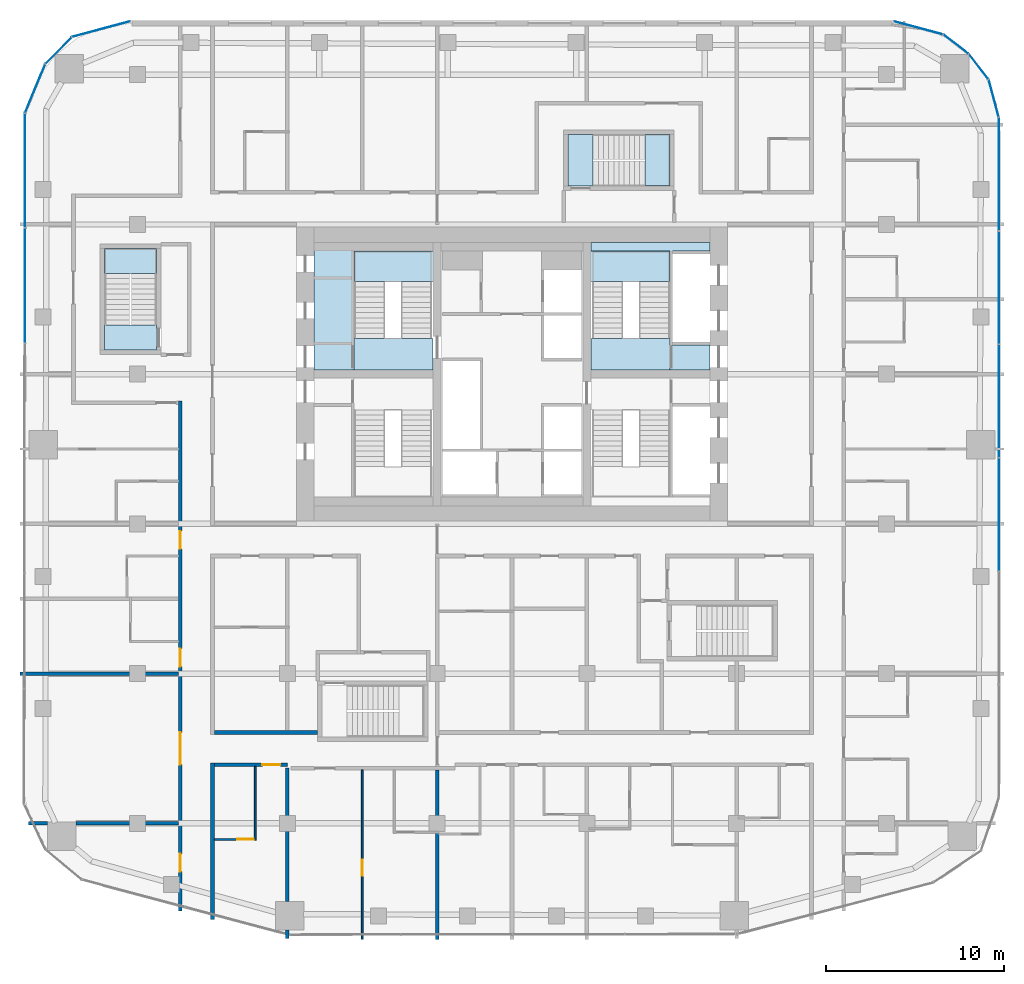
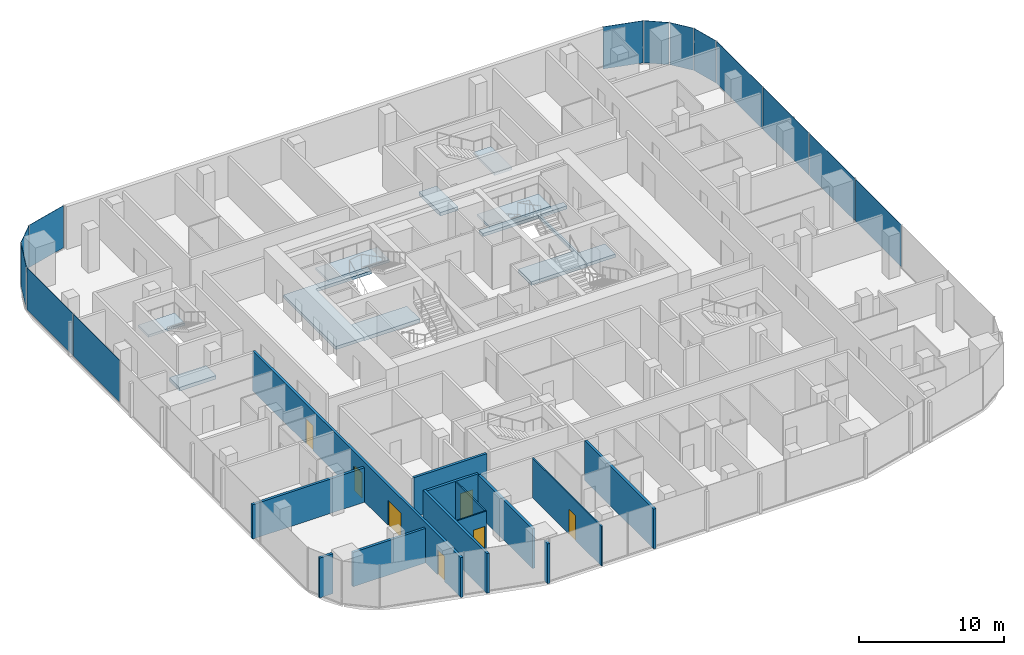
# One storey, part 13 of 23: 13 plates, 13 walls, 10 slabs, 7 doors, 7 openings, 13 elements without a shape of their own.
"""IFC4 building model written with IfcOpenShell, lengths in metres."""

from ifc_helpers import new_model, si_unit, direction, frame, frame_2d, origin, origin_2d, place, context, subcontext, project, spatial, polyline, rectangle, outline, extrude, material, layer, layer_set, type_object, element, fill, aggregate, save


model = new_model("IFC4")

# Units and contexts
model_context = context("Model", 3, precision=1e-05, world=origin(), true_north=direction((0.0, 1.0)))
body_context = subcontext(model_context, "Body", "Model", "MODEL_VIEW")
ifc_project = project(units=[si_unit("LENGTHUNIT", "METRE"), si_unit("AREAUNIT", "SQUARE_METRE"), si_unit("VOLUMEUNIT", "CUBIC_METRE"), si_unit("PLANEANGLEUNIT", "RADIAN"), si_unit("MASSUNIT", "GRAM", prefix="KILO")], contexts=[model_context])

# Site, building, storey
site_placement = place(None, origin())
site = spatial("IfcSite", under=ifc_project, at=site_placement, CompositionType="ELEMENT")
building_placement = place(site_placement, origin())
building = spatial("IfcBuilding", under=site, at=building_placement, Name="Marenta Gate Hotel Tower", CompositionType="ELEMENT")
storey_placement = place(building_placement, frame((0.0, 0.0, 162.5)))
storey = spatial("IfcBuildingStorey", under=building, at=storey_placement, Name="L38", CompositionType="ELEMENT", Elevation=162.5)

# Slabs
ifc_material_1 = material(Name="Concrete C40", Category="concrete")
ifc_layer_1 = layer(ifc_material_1, 0.260009765625)
ifc_layer_set_1 = layer_set([ifc_layer_1], Name="Concrete C40")
slab_type_1 = type_object("IfcSlabType", Name="Core floor slab 260", PredefinedType="FLOOR", material=ifc_layer_set_1)
slab_1_placement = place(storey_placement, frame((0.0, 0.0, -0.260009765625)))
element("IfcSlab", 1, at=slab_1_placement, inside=storey, type_object=slab_type_1, Name="L38-CF-3", PredefinedType="FLOOR", context=body_context, shape_type="SweptSolid", body=[
    extrude(outline(polyline([(8.85009765625, 15.300048828125), (4.425048828125, 15.300048828125), (4.425048828125, 15.800048828125), (11.10009765625, 15.800048828125), (11.10009765625, 15.300048828125), (9.0, 15.300048828125), (9.0, 15.14990234375), (9.0, 12.75), (9.0, 12.60009765625), (9.0, 10.199951171875), (9.0, 10.050048828125), (11.10009765625, 10.050048828125), (11.10009765625, 8.625), (8.85009765625, 8.625), (8.85009765625, 8.699951171875), (8.85009765625, 10.39990234375), (8.85009765625, 15.300048828125)])), origin(), (0.0, 0.0, 1.0), 0.260009765625),
])
slab_2_placement = place(storey_placement, frame((0.0, 0.0, -0.260009765625)))
element("IfcSlab", 2, at=slab_2_placement, inside=storey, type_object=slab_type_1, Name="L38-CF-6", PredefinedType="FLOOR", context=body_context, shape_type="SweptSolid", body=[
    extrude(outline(polyline([(-4.425048828125, 15.300048828125), (-8.85009765625, 15.300048828125), (-8.85009765625, 10.39990234375), (-8.85009765625, 8.699951171875), (-8.85009765625, 8.625), (-11.10009765625, 8.625), (-11.10009765625, 15.800048828125), (-4.425048828125, 15.800048828125), (-4.425048828125, 15.300048828125)])), origin(), (0.0, 0.0, 1.0), 0.260009765625),
])

# Stair, slab
ifc_material_2 = material(Name="Concrete C40", Category="concrete")
stair_type_1 = type_object("IfcStairType", Name="Core exit stair 1700 wide", PredefinedType="HALF_TURN_STAIR", material=ifc_material_2)
stair_1_placement = place(storey_placement, origin())
stair_1 = element("IfcStair", 3, at=stair_1_placement, inside=storey, type_object=stair_type_1, Name="Exit stair 2", PredefinedType="HALF_TURN_STAIR")
ifc_material_3 = material(Name="Concrete C40", Category="concrete")
ifc_layer_2 = layer(ifc_material_3, 0.199951171875)
ifc_layer_set_2 = layer_set([ifc_layer_2], Name="Concrete C40")
slab_type_2 = type_object("IfcSlabType", Name="Core stair landing 200", PredefinedType="LANDING", material=ifc_layer_set_2)
slab_3_placement = place(storey_placement, frame((0.0, 0.0, 1.60009765625)))
slab_3 = element("IfcSlab", 4, at=slab_3_placement, type_object=slab_type_2, Name="SL-200 ST2 landing 1", PredefinedType="LANDING", context=body_context, shape_type="SweptSolid", body=[
    extrude(outline(polyline([(-8.85009765625, 13.590087890625), (-3.97509765625, 13.590087890625), (-3.97509765625, 15.300048828125), (-8.85009765625, 15.300048828125), (-8.85009765625, 13.590087890625)])), origin(), (0.0, 0.0, 1.0), 0.199951171875),
])
aggregate(stair_1, [slab_3])

stair_2_placement = place(storey_placement, origin())
stair_2 = element("IfcStair", 5, at=stair_2_placement, inside=storey, type_object=stair_type_1, Name="Exit stair 4", PredefinedType="HALF_TURN_STAIR")
slab_4_placement = place(storey_placement, frame((0.0, 0.0, 1.60009765625)))
slab_4 = element("IfcSlab", 6, at=slab_4_placement, type_object=slab_type_2, Name="SL-200 ST4 landing 1", PredefinedType="LANDING", context=body_context, shape_type="SweptSolid", body=[
    extrude(outline(polyline([(3.97509765625, 13.590087890625), (8.85009765625, 13.590087890625), (8.85009765625, 15.300048828125), (3.97509765625, 15.300048828125), (3.97509765625, 13.590087890625)])), origin(), (0.0, 0.0, 1.0), 0.199951171875),
])
aggregate(stair_2, [slab_4])

# Curtain wall, plate
ifc_material_4 = material(Name="Tinted insulated glass in bronze anodised frame", Category="glass")
ifc_layer_3 = layer(ifc_material_4, 0.1201171875)
ifc_layer_set_3 = layer_set([ifc_layer_3], Name="Tinted insulated glass in bronze anodised frame")
curtain_wall_type = type_object("IfcCurtainWallType", Name="Tower unitised curtain wall CW1", PredefinedType="NOTDEFINED", material=ifc_layer_set_3)
curtain_wall_1_placement = place(storey_placement, origin())
curtain_wall_1 = element("IfcCurtainWall", 7, at=curtain_wall_1_placement, inside=storey, type_object=curtain_wall_type, Name="CW1 run G00", PredefinedType="NOTDEFINED")
ifc_material_5 = material(Name="Tinted insulated glass", Category="glass")
ifc_layer_4 = layer(ifc_material_5, 0.028076171875)
ifc_layer_set_4 = layer_set([ifc_layer_4], Name="Tinted insulated glass")
plate_type = type_object("IfcPlateType", Name="Glass panel CW1 28 mm tinted insulated unit", PredefinedType="CURTAIN_PANEL", material=ifc_layer_set_4)
plate_1_placement = place(storey_placement, frame((-23.04052734375, 27.759765625, 0.06005859375), z_axis=(0.0, 0.0, 1.0), x_axis=(-0.96593059835, -0.258801234873, 0.0)))
plate_1 = element("IfcPlate", 8, at=plate_1_placement, type_object=plate_type, Name="CW1 panel 1.1", PredefinedType="CURTAIN_PANEL", context=body_context, shape_type="SweptSolid", body=[
    extrude(rectangle(XDim=3.366943359375, YDim=0.028076171875, at=origin_2d()), origin(), (0.0, 0.0, 1.0), 3.5400390625),
])
aggregate(curtain_wall_1, [plate_1])

curtain_wall_2_placement = place(storey_placement, origin())
curtain_wall_2 = element("IfcCurtainWall", 9, at=curtain_wall_2_placement, inside=storey, type_object=curtain_wall_type, Name="CW1 run G01", PredefinedType="NOTDEFINED")
plate_2_placement = place(storey_placement, frame((-25.440673828125, 26.550048828125, 0.06005859375), z_axis=(0.0, 0.0, 1.0), x_axis=(-0.707106781187, -0.707106781187, 0.0)))
plate_2 = element("IfcPlate", 10, at=plate_2_placement, type_object=plate_type, Name="CW1 panel 1.1", PredefinedType="CURTAIN_PANEL", context=body_context, shape_type="SweptSolid", body=[
    extrude(rectangle(XDim=2.069091796875, YDim=0.028076171875, at=origin_2d()), origin(), (0.0, 0.0, 1.0), 3.5400390625),
])
aggregate(curtain_wall_2, [plate_2])

curtain_wall_3_placement = place(storey_placement, origin())
curtain_wall_3 = element("IfcCurtainWall", 11, at=curtain_wall_3_placement, inside=storey, type_object=curtain_wall_type, Name="CW1 run G02", PredefinedType="NOTDEFINED")
plate_3_placement = place(storey_placement, frame((-26.75390625, 24.41455078125, 0.06005859375), z_axis=(0.0, 0.0, 1.0), x_axis=(-0.382671975111, -0.923884278178, 0.0)))
plate_3 = element("IfcPlate", 12, at=plate_3_placement, type_object=plate_type, Name="CW1 panel 1.1", PredefinedType="CURTAIN_PANEL", context=body_context, shape_type="SweptSolid", body=[
    extrude(rectangle(XDim=2.919189453125, YDim=0.028076171875, at=origin_2d()), origin(), (0.0, 0.0, 1.0), 3.5400390625),
])
aggregate(curtain_wall_3, [plate_3])

# Curtain wall, plates
curtain_wall_4_placement = place(storey_placement, origin())
curtain_wall_4 = element("IfcCurtainWall", 13, at=curtain_wall_4_placement, inside=storey, type_object=curtain_wall_type, Name="CW1 run G03", PredefinedType="NOTDEFINED")
plate_4_placement = place(storey_placement, frame((-27.3173828125, 19.8212890625, 0.06005859375), z_axis=(0.0, 0.0, 1.0), x_axis=(-0.001566045546, -0.99999877375, 0.0)))
plate_4 = element("IfcPlate", 14, at=plate_4_placement, type_object=plate_type, Name="CW1 panel 1.1", PredefinedType="CURTAIN_PANEL", context=body_context, shape_type="SweptSolid", body=[
    extrude(rectangle(XDim=6.3701171875, YDim=0.028076171875, at=origin_2d()), origin(), (0.0, 0.0, 1.0), 3.5400390625),
])
plate_5_placement = place(storey_placement, frame((-27.327392578125, 13.376220703125, 0.06005859375), z_axis=(0.0, 0.0, 1.0), x_axis=(-0.001566045546, -0.99999877375, 0.0)))
plate_5 = element("IfcPlate", 15, at=plate_5_placement, type_object=plate_type, Name="CW1 panel 2.1", PredefinedType="CURTAIN_PANEL", context=body_context, shape_type="SweptSolid", body=[
    extrude(rectangle(XDim=6.39990234375, YDim=0.028076171875, at=origin_2d()), origin(), (0.0, 0.0, 1.0), 3.5400390625),
])
aggregate(curtain_wall_4, [plate_4, plate_5])

curtain_wall_5_placement = place(storey_placement, origin())
curtain_wall_5 = element("IfcCurtainWall", 16, at=curtain_wall_5_placement, inside=storey, type_object=curtain_wall_type, Name="CW1 run G11", PredefinedType="NOTDEFINED")
plate_6_placement = place(storey_placement, frame((27.31396484375, 0.531982421875, 0.06005859375), z_axis=(0.0, 0.0, 1.0), x_axis=(0.0, 1.0, 0.0)))
plate_6 = element("IfcPlate", 17, at=plate_6_placement, type_object=plate_type, Name="CW1 panel 3.1", PredefinedType="CURTAIN_PANEL", context=body_context, shape_type="SweptSolid", body=[
    extrude(rectangle(XDim=6.300048828125, YDim=0.028076171875, at=origin_2d()), origin(), (0.0, 0.0, 1.0), 3.5400390625),
])
plate_7_placement = place(storey_placement, frame((27.31396484375, 6.891845703125, 0.06005859375), z_axis=(0.0, 0.0, 1.0), x_axis=(0.0, 1.0, 0.0)))
plate_7 = element("IfcPlate", 18, at=plate_7_placement, type_object=plate_type, Name="CW1 panel 4.1", PredefinedType="CURTAIN_PANEL", context=body_context, shape_type="SweptSolid", body=[
    extrude(rectangle(XDim=6.300048828125, YDim=0.028076171875, at=origin_2d()), origin(), (0.0, 0.0, 1.0), 3.5400390625),
])
plate_8_placement = place(storey_placement, frame((27.31396484375, 13.251953125, 0.06005859375), z_axis=(0.0, 0.0, 1.0), x_axis=(0.0, 1.0, 0.0)))
plate_8 = element("IfcPlate", 19, at=plate_8_placement, type_object=plate_type, Name="CW1 panel 5.1", PredefinedType="CURTAIN_PANEL", context=body_context, shape_type="SweptSolid", body=[
    extrude(rectangle(XDim=6.300048828125, YDim=0.028076171875, at=origin_2d()), origin(), (0.0, 0.0, 1.0), 3.5400390625),
])
plate_9_placement = place(storey_placement, frame((27.31396484375, 19.626953125, 0.06005859375), z_axis=(0.0, 0.0, 1.0), x_axis=(0.0, 1.0, 0.0)))
plate_9 = element("IfcPlate", 20, at=plate_9_placement, type_object=plate_type, Name="CW1 panel 6.1", PredefinedType="CURTAIN_PANEL", context=body_context, shape_type="SweptSolid", body=[
    extrude(rectangle(XDim=6.330078125, YDim=0.028076171875, at=origin_2d()), origin(), (0.0, 0.0, 1.0), 3.5400390625),
])
aggregate(curtain_wall_5, [plate_6, plate_7, plate_8, plate_9])

# Curtain wall, plate
curtain_wall_6_placement = place(storey_placement, origin())
curtain_wall_6 = element("IfcCurtainWall", 21, at=curtain_wall_6_placement, inside=storey, type_object=curtain_wall_type, Name="CW1 run G12", PredefinedType="NOTDEFINED")
plate_10_placement = place(storey_placement, frame((27.022216796875, 23.880615234375, 0.06005859375), z_axis=(0.0, 0.0, 1.0), x_axis=(-0.258822651658, 0.965924859908, 0.0)))
plate_10 = element("IfcPlate", 22, at=plate_10_placement, type_object=plate_type, Name="CW1 panel 1.1", PredefinedType="CURTAIN_PANEL", context=body_context, shape_type="SweptSolid", body=[
    extrude(rectangle(XDim=2.13427734375, YDim=0.028076171875, at=origin_2d()), origin(), (0.0, 0.0, 1.0), 3.5400390625),
])
aggregate(curtain_wall_6, [plate_10])

curtain_wall_7_placement = place(storey_placement, origin())
curtain_wall_7 = element("IfcCurtainWall", 23, at=curtain_wall_7_placement, inside=storey, type_object=curtain_wall_type, Name="CW1 run G13", PredefinedType="NOTDEFINED")
plate_11_placement = place(storey_placement, frame((26.177490234375, 25.652099609375, 0.06005859375), z_axis=(0.0, 0.0, 1.0), x_axis=(-0.608796116694, 0.793326722289, 0.0)))
plate_11 = element("IfcPlate", 24, at=plate_11_placement, type_object=plate_type, Name="CW1 panel 1.1", PredefinedType="CURTAIN_PANEL", context=body_context, shape_type="SweptSolid", body=[
    extrude(rectangle(XDim=1.747802734375, YDim=0.028076171875, at=origin_2d()), origin(), (0.0, 0.0, 1.0), 3.5400390625),
])
aggregate(curtain_wall_7, [plate_11])

curtain_wall_8_placement = place(storey_placement, origin())
curtain_wall_8 = element("IfcCurtainWall", 25, at=curtain_wall_8_placement, inside=storey, type_object=curtain_wall_type, Name="CW1 run G14", PredefinedType="NOTDEFINED")
plate_12_placement = place(storey_placement, frame((24.904541015625, 26.9140625, 0.06005859375), z_axis=(0.0, 0.0, 1.0), x_axis=(-0.793326722289, 0.608796116694, 0.0)))
plate_12 = element("IfcPlate", 26, at=plate_12_placement, type_object=plate_type, Name="CW1 panel 1.1", PredefinedType="CURTAIN_PANEL", context=body_context, shape_type="SweptSolid", body=[
    extrude(rectangle(XDim=1.747802734375, YDim=0.028076171875, at=origin_2d()), origin(), (0.0, 0.0, 1.0), 3.5400390625),
])
aggregate(curtain_wall_8, [plate_12])

curtain_wall_9_placement = place(storey_placement, origin())
curtain_wall_9 = element("IfcCurtainWall", 27, at=curtain_wall_9_placement, inside=storey, type_object=curtain_wall_type, Name="CW1 run G15", PredefinedType="NOTDEFINED")
plate_13_placement = place(storey_placement, frame((22.783935546875, 27.82861328125, 0.06005859375), z_axis=(0.0, 0.0, 1.0), x_axis=(-0.965929324305, 0.258805989975, 0.0)))
plate_13 = element("IfcPlate", 28, at=plate_13_placement, type_object=plate_type, Name="CW1 panel 1.1", PredefinedType="CURTAIN_PANEL", context=body_context, shape_type="SweptSolid", body=[
    extrude(rectangle(XDim=2.83544921875, YDim=0.028076171875, at=origin_2d()), origin(), (0.0, 0.0, 1.0), 3.5400390625),
])
aggregate(curtain_wall_9, [plate_13])

# Stair, slab
ifc_material_6 = material(Name="Concrete C40", Category="concrete")
stair_type_2 = type_object("IfcStairType", Name="Remote exit stair 1400 wide", PredefinedType="HALF_TURN_STAIR", material=ifc_material_6)
stair_3_placement = place(storey_placement, origin())
stair_3 = element("IfcStair", 29, at=stair_3_placement, inside=storey, type_object=stair_type_2, Name="Exit stair RS-Z1-3", PredefinedType="HALF_TURN_STAIR")
ifc_material_7 = material(Name="Concrete C40", Category="concrete")
ifc_layer_5 = layer(ifc_material_7, 0.199951171875)
ifc_layer_set_5 = layer_set([ifc_layer_5], Name="Concrete C40")
slab_type_3 = type_object("IfcSlabType", Name="Remote stair landing 200", PredefinedType="LANDING", material=ifc_layer_set_5)
slab_5_placement = place(storey_placement, frame((0.0, 0.0, 1.60009765625)))
slab_5 = element("IfcSlab", 30, at=slab_5_placement, type_object=slab_type_3, Name="RL-200 RS-Z1-3 landing 1", PredefinedType="LANDING", context=body_context, shape_type="SweptSolid", body=[
    extrude(outline(polyline([(-22.85009765625, 14.050048828125), (-19.949951171875, 14.050048828125), (-19.949951171875, 15.449951171875), (-22.85009765625, 15.449951171875), (-22.85009765625, 14.050048828125)])), origin(), (0.0, 0.0, 1.0), 0.199951171875),
])
aggregate(stair_3, [slab_5])

stair_4_placement = place(storey_placement, origin())
stair_4 = element("IfcStair", 31, at=stair_4_placement, inside=storey, type_object=stair_type_2, Name="Exit stair RS-Z2-4", PredefinedType="HALF_TURN_STAIR")
slab_6_placement = place(storey_placement, frame((0.0, 0.0, 1.60009765625)))
slab_6 = element("IfcSlab", 32, at=slab_6_placement, type_object=slab_type_3, Name="RL-200 RS-Z2-4 landing 1", PredefinedType="LANDING", context=body_context, shape_type="SweptSolid", body=[
    extrude(outline(polyline([(7.449951171875, 18.949951171875), (8.85009765625, 18.949951171875), (8.85009765625, 21.85009765625), (7.449951171875, 21.85009765625), (7.449951171875, 18.949951171875)])), origin(), (0.0, 0.0, 1.0), 0.199951171875),
])
aggregate(stair_4, [slab_6])

# Slabs
ifc_material_8 = material(Name="Concrete C40", Category="concrete")
ifc_layer_6 = layer(ifc_material_8, 0.300048828125)
ifc_layer_set_6 = layer_set([ifc_layer_6], Name="Concrete C40")
slab_type_4 = type_object("IfcSlabType", Name="Stair floor landing slab 300", PredefinedType="FLOOR", material=ifc_layer_set_6)
slab_7_placement = place(storey_placement, frame((0.0, 0.0, -0.300048828125)))
element("IfcSlab", 33, at=slab_7_placement, inside=storey, type_object=slab_type_4, Name="L38-CL-ST2-1", PredefinedType="FLOOR", context=body_context, shape_type="SweptSolid", body=[
    extrude(outline(polyline([(-4.425048828125, 8.625), (-8.85009765625, 8.625), (-8.85009765625, 8.699951171875), (-8.85009765625, 10.39990234375), (-4.425048828125, 10.39990234375), (-4.425048828125, 8.625)])), origin(), (0.0, 0.0, 1.0), 0.300048828125),
])
slab_8_placement = place(storey_placement, frame((0.0, 0.0, -0.300048828125)))
element("IfcSlab", 34, at=slab_8_placement, inside=storey, type_object=slab_type_4, Name="L38-CL-ST4-1", PredefinedType="FLOOR", context=body_context, shape_type="SweptSolid", body=[
    extrude(outline(polyline([(4.425048828125, 8.625), (4.425048828125, 10.39990234375), (8.85009765625, 10.39990234375), (8.85009765625, 8.699951171875), (8.85009765625, 8.625), (4.425048828125, 8.625)])), origin(), (0.0, 0.0, 1.0), 0.300048828125),
])
slab_9_placement = place(storey_placement, frame((0.0, 0.0, -0.300048828125)))
element("IfcSlab", 35, at=slab_9_placement, inside=storey, type_object=slab_type_4, Name="L38-RS-Z1-3-CL", PredefinedType="FLOOR", context=body_context, shape_type="SweptSolid", body=[
    extrude(outline(polyline([(-19.949951171875, 9.75), (-19.949951171875, 11.14990234375), (-22.85009765625, 11.14990234375), (-22.85009765625, 9.75), (-19.949951171875, 9.75)])), origin(), (0.0, 0.0, 1.0), 0.300048828125),
])
slab_10_placement = place(storey_placement, frame((0.0, 0.0, -0.300048828125)))
element("IfcSlab", 36, at=slab_10_placement, inside=storey, type_object=slab_type_4, Name="L38-RS-Z2-4-CL", PredefinedType="FLOOR", context=body_context, shape_type="SweptSolid", body=[
    extrude(outline(polyline([(4.550048828125, 18.949951171875), (4.550048828125, 21.85009765625), (3.14990234375, 21.85009765625), (3.14990234375, 18.949951171875), (4.550048828125, 18.949951171875)])), origin(), (0.0, 0.0, 1.0), 0.300048828125),
])

# Wall
ifc_material_9 = material(Name="Concrete blockwork", Category="masonry")
ifc_layer_7 = layer(ifc_material_9, 0.199951171875)
ifc_layer_set_7 = layer_set([ifc_layer_7], Name="Concrete blockwork")
wall_type_1 = type_object("IfcWallType", Name="Compartment wall 200 REI 180", PredefinedType="PARTITIONING", material=ifc_layer_set_7)
wall_1_placement = place(storey_placement, frame((-4.199951171875, -23.300048828125, 0.0), z_axis=(0.0, 0.0, 1.0), x_axis=(0.0, 1.0, 0.0)))
element("IfcWall", 37, at=wall_1_placement, inside=storey, type_object=wall_type_1, Name="L38-PTN-W072", PredefinedType="PARTITIONING", context=body_context, shape_type="SweptSolid", body=[
    extrude(rectangle(XDim=9.5, YDim=0.199951171875, at=frame_2d((4.75, 0.0))), origin(), (0.0, 0.0, 1.0), 3.340087890625),
])

# Wall, opening, door
ifc_material_10 = material(Name="Gypsum board on steel stud", Category="steel")
ifc_layer_8 = layer(ifc_material_10, 0.199951171875)
ifc_layer_set_8 = layer_set([ifc_layer_8], Name="Gypsum board on steel stud")
wall_type_2 = type_object("IfcWallType", Name="Room corridor wall 200 EI 60", PredefinedType="PARTITIONING", material=ifc_layer_set_8)
wall_2_placement = place(storey_placement, frame((-16.699951171875, -13.5, 0.0), z_axis=(0.0, 0.0, 1.0), x_axis=(1.0, 0.0, 0.0)))
wall_2 = element("IfcWall", 38, at=wall_2_placement, inside=storey, type_object=wall_type_2, Name="L38-PTN-W026", PredefinedType="PARTITIONING", context=body_context, shape_type="SweptSolid", body=[
    extrude(rectangle(XDim=4.099853515625, YDim=0.199951171875, at=frame_2d((2.0498046875, 0.0))), origin(), (0.0, 0.0, 1.0), 3.340087890625),
])
opening_1_placement = place(wall_2_placement, frame((2.699951171875, 0.0, 0.0)))
opening_1 = element("IfcOpeningElement", 39, at=opening_1_placement, cuts=wall_2, Name="Opening G14-30", PredefinedType="OPENING", context=body_context, shape_type="SweptSolid", body=[
    extrude(rectangle(XDim=1.0, YDim=2.10009765625, at=frame_2d((0.5, 1.050048828125))), frame((0.0, 0.10009765625, 0.0), z_axis=(0.0, -1.0, 0.0), x_axis=(1.0, 0.0, 0.0)), (0.0, 0.0, 1.0), 0.199951171875),
])
ifc_material_11 = material(Name="Timber door leaf", Category="wood")
door_type_1 = type_object("IfcDoorType", Name="Guest room door 1000x2100 EI 30", OperationType="NOTDEFINED", PredefinedType="DOOR", material=ifc_material_11)
door_1_placement = place(opening_1_placement, origin())
door_1 = element("IfcDoor", 40, at=door_1_placement, inside=storey, type_object=door_type_1, Name="L38-PD-D030", OperationType="SINGLE_SWING_RIGHT", OverallHeight=2.10009765625, OverallWidth=1.0, PredefinedType="DOOR", context=body_context, shape_type="SweptSolid", body=[
    extrude(rectangle(XDim=1.0, YDim=2.10009765625, at=frame_2d((0.5, 1.050048828125))), frame((0.0, 0.02490234375, 0.0), z_axis=(0.0, -1.0, 0.0), x_axis=(1.0, 0.0, 0.0)), (0.0, 0.0, 1.0), 0.050048828125),
])
fill(opening_1, door_1)

# Walls
wall_3_placement = place(storey_placement, frame((-16.699951171875, -11.699951171875, 0.0), z_axis=(0.0, 0.0, 1.0), x_axis=(1.0, 0.0, 0.0)))
element("IfcWall", 41, at=wall_3_placement, inside=storey, type_object=wall_type_2, Name="L38-PTN-W033", PredefinedType="PARTITIONING", context=body_context, shape_type="SweptSolid", body=[
    extrude(rectangle(XDim=5.800048828125, YDim=0.199951171875, at=frame_2d((2.89990234375, 0.0))), origin(), (0.0, 0.0, 1.0), 3.340087890625),
])
wall_4_placement = place(storey_placement, frame((-16.800048828125, -22.18603515625, 0.0), z_axis=(0.0, 0.0, 1.0), x_axis=(0.0, 1.0, 0.0)))
element("IfcWall", 42, at=wall_4_placement, inside=storey, type_object=wall_type_2, Name="L38-PTN-W096", PredefinedType="PARTITIONING", context=body_context, shape_type="SweptSolid", body=[
    extrude(rectangle(XDim=8.7861328125, YDim=0.199951171875, at=frame_2d((4.39306640625, 0.0))), origin(), (0.0, 0.0, 1.0), 3.340087890625),
])

# Wall, openings, doors
wall_5_placement = place(storey_placement, frame((-18.60009765625, -21.7080078125, 0.0), z_axis=(0.0, 0.0, 1.0), x_axis=(0.0, 1.0, 0.0)))
wall_5 = element("IfcWall", 43, at=wall_5_placement, inside=storey, type_object=wall_type_2, Name="L38-PTN-W103", PredefinedType="PARTITIONING", context=body_context, shape_type="SweptSolid", body=[
    extrude(rectangle(XDim=28.60791015625, YDim=0.199951171875, at=frame_2d((14.303955078125, 0.0))), origin(), (0.0, 0.0, 1.0), 3.340087890625),
])
opening_2_placement = place(wall_5_placement, frame((2.2041015625, 0.0, 0.0)))
opening_2 = element("IfcOpeningElement", 44, at=opening_2_placement, cuts=wall_5, Name="Opening G14-44", PredefinedType="OPENING", context=body_context, shape_type="SweptSolid", body=[
    extrude(rectangle(XDim=1.0, YDim=2.10009765625, at=frame_2d((0.5, 1.050048828125))), frame((0.0, 0.10009765625, 0.0), z_axis=(0.0, -1.0, 0.0), x_axis=(1.0, 0.0, 0.0)), (0.0, 0.0, 1.0), 0.199951171875),
])
opening_3_placement = place(wall_5_placement, frame((8.2080078125, 0.0, 0.0)))
opening_3 = element("IfcOpeningElement", 45, at=opening_3_placement, cuts=wall_5, Name="Opening G14-45", PredefinedType="OPENING", context=body_context, shape_type="SweptSolid", body=[
    extrude(rectangle(XDim=1.800048828125, YDim=2.10009765625, at=frame_2d((0.89990234375, 1.050048828125))), frame((0.0, 0.10009765625, 0.0), z_axis=(0.0, -1.0, 0.0), x_axis=(1.0, 0.0, 0.0)), (0.0, 0.0, 1.0), 0.199951171875),
])
opening_4_placement = place(wall_5_placement, frame((13.7080078125, 0.0, 0.0)))
opening_4 = element("IfcOpeningElement", 46, at=opening_4_placement, cuts=wall_5, Name="Opening G14-46", PredefinedType="OPENING", context=body_context, shape_type="SweptSolid", body=[
    extrude(rectangle(XDim=1.0, YDim=2.10009765625, at=frame_2d((0.5, 1.050048828125))), frame((0.0, 0.10009765625, 0.0), z_axis=(0.0, -1.0, 0.0), x_axis=(1.0, 0.0, 0.0)), (0.0, 0.0, 1.0), 0.199951171875),
])
opening_5_placement = place(wall_5_placement, frame((20.30810546875, 0.0, 0.0)))
opening_5 = element("IfcOpeningElement", 47, at=opening_5_placement, cuts=wall_5, Name="Opening G14-48", PredefinedType="OPENING", context=body_context, shape_type="SweptSolid", body=[
    extrude(rectangle(XDim=1.0, YDim=2.10009765625, at=frame_2d((0.5, 1.050048828125))), frame((0.0, 0.10009765625, 0.0), z_axis=(0.0, -1.0, 0.0), x_axis=(1.0, 0.0, 0.0)), (0.0, 0.0, 1.0), 0.199951171875),
])
door_2_placement = place(opening_4_placement, origin())
door_2 = element("IfcDoor", 48, at=door_2_placement, inside=storey, type_object=door_type_1, Name="L38-PD-D046", OperationType="SINGLE_SWING_LEFT", OverallHeight=2.10009765625, OverallWidth=1.0, PredefinedType="DOOR", context=body_context, shape_type="SweptSolid", body=[
    extrude(rectangle(XDim=1.0, YDim=2.10009765625, at=frame_2d((0.5, 1.050048828125))), frame((0.0, 0.02490234375, 0.0), z_axis=(0.0, -1.0, 0.0), x_axis=(1.0, 0.0, 0.0)), (0.0, 0.0, 1.0), 0.050048828125),
])
fill(opening_4, door_2)
door_3_placement = place(opening_5_placement, origin())
door_3 = element("IfcDoor", 49, at=door_3_placement, inside=storey, type_object=door_type_1, Name="L38-PD-D048", OperationType="SINGLE_SWING_LEFT", OverallHeight=2.10009765625, OverallWidth=1.0, PredefinedType="DOOR", context=body_context, shape_type="SweptSolid", body=[
    extrude(rectangle(XDim=1.0, YDim=2.10009765625, at=frame_2d((0.5, 1.050048828125))), frame((0.0, 0.02490234375, 0.0), z_axis=(0.0, -1.0, 0.0), x_axis=(1.0, 0.0, 0.0)), (0.0, 0.0, 1.0), 0.050048828125),
])
fill(opening_5, door_3)
ifc_material_12 = material(Name="Timber door leaf", Category="wood")
door_type_2 = type_object("IfcDoorType", Name="Room amenity door 1000x2100 EI 30", OperationType="NOTDEFINED", PredefinedType="DOOR", material=ifc_material_12)
door_4_placement = place(opening_2_placement, origin())
door_4 = element("IfcDoor", 50, at=door_4_placement, inside=storey, type_object=door_type_2, Name="L38-PD-D044", OperationType="SINGLE_SWING_RIGHT", OverallHeight=2.10009765625, OverallWidth=1.0, PredefinedType="DOOR", context=body_context, shape_type="SweptSolid", body=[
    extrude(rectangle(XDim=1.0, YDim=2.10009765625, at=frame_2d((0.5, 1.050048828125))), frame((0.0, 0.02490234375, 0.0), z_axis=(0.0, -1.0, 0.0), x_axis=(1.0, 0.0, 0.0)), (0.0, 0.0, 1.0), 0.050048828125),
])
fill(opening_2, door_4)
ifc_material_13 = material(Name="Timber door leaf", Category="wood")
door_type_3 = type_object("IfcDoorType", Name="Room amenity door 1800x2100 EI 30", OperationType="DOUBLE_DOOR_SINGLE_SWING", PredefinedType="DOOR", material=ifc_material_13)
door_5_placement = place(opening_3_placement, origin())
door_5 = element("IfcDoor", 51, at=door_5_placement, inside=storey, type_object=door_type_3, Name="L38-PD-D045", OperationType="DOUBLE_DOOR_SINGLE_SWING", OverallHeight=2.10009765625, OverallWidth=1.800048828125, PredefinedType="DOOR", context=body_context, shape_type="SweptSolid", body=[
    extrude(rectangle(XDim=1.800048828125, YDim=2.10009765625, at=frame_2d((0.89990234375, 1.050048828125))), frame((0.0, 0.02490234375, 0.0), z_axis=(0.0, -1.0, 0.0), x_axis=(1.0, 0.0, 0.0)), (0.0, 0.0, 1.0), 0.050048828125),
])
fill(opening_3, door_5)

# Wall, opening, door
ifc_material_14 = material(Name="Gypsum board on steel stud", Category="steel")
ifc_layer_9 = layer(ifc_material_14, 0.10009765625)
ifc_layer_set_9 = layer_set([ifc_layer_9], Name="Gypsum board on steel stud")
wall_type_3 = type_object("IfcWallType", Name="Room partition 100", PredefinedType="PARTITIONING", material=ifc_layer_set_9)
wall_6_placement = place(storey_placement, frame((-16.699951171875, -17.699951171875, 0.0), z_axis=(0.0, 0.0, 1.0), x_axis=(1.0, 0.0, 0.0)))
wall_6 = element("IfcWall", 52, at=wall_6_placement, inside=storey, type_object=wall_type_3, Name="L38-PTN-W012", PredefinedType="PARTITIONING", context=body_context, shape_type="SweptSolid", body=[
    extrude(rectangle(XDim=2.349853515625, YDim=0.10009765625, at=frame_2d((1.1748046875, 0.0))), origin(), (0.0, 0.0, 1.0), 3.340087890625),
])
opening_6_placement = place(wall_6_placement, frame((1.300048828125, 0.0, 0.0)))
opening_6 = element("IfcOpeningElement", 53, at=opening_6_placement, cuts=wall_6, Name="Opening G14-31", PredefinedType="OPENING", context=body_context, shape_type="SweptSolid", body=[
    extrude(rectangle(XDim=0.89990234375, YDim=2.10009765625, at=frame_2d((0.449951171875, 1.050048828125))), frame((0.0, 0.050048828125, 0.0), z_axis=(0.0, -1.0, 0.0), x_axis=(1.0, 0.0, 0.0)), (0.0, 0.0, 1.0), 0.10009765625),
])
ifc_material_15 = material(Name="Timber door leaf", Category="wood")
door_type_4 = type_object("IfcDoorType", Name="Guest bathroom door 900x2100", OperationType="NOTDEFINED", PredefinedType="DOOR", material=ifc_material_15)
door_6_placement = place(opening_6_placement, origin())
door_6 = element("IfcDoor", 54, at=door_6_placement, inside=storey, type_object=door_type_4, Name="L38-PD-D031", OperationType="SINGLE_SWING_RIGHT", OverallHeight=2.10009765625, OverallWidth=0.89990234375, PredefinedType="DOOR", context=body_context, shape_type="SweptSolid", body=[
    extrude(rectangle(XDim=0.89990234375, YDim=2.10009765625, at=frame_2d((0.449951171875, 1.050048828125))), frame((0.0, 0.02490234375, 0.0), z_axis=(0.0, -1.0, 0.0), x_axis=(1.0, 0.0, 0.0)), (0.0, 0.0, 1.0), 0.050048828125),
])
fill(opening_6, door_6)

wall_7_placement = place(storey_placement, frame((-8.39990234375, -23.300048828125, 0.0), z_axis=(0.0, 0.0, 1.0), x_axis=(0.0, 1.0, 0.0)))
wall_7 = element("IfcWall", 55, at=wall_7_placement, inside=storey, type_object=wall_type_3, Name="L38-PTN-W080", PredefinedType="PARTITIONING", context=body_context, shape_type="SweptSolid", body=[
    extrude(rectangle(XDim=9.5, YDim=0.10009765625, at=frame_2d((4.75, 0.0))), origin(), (0.0, 0.0, 1.0), 3.340087890625),
])
opening_7_placement = place(wall_7_placement, frame((3.570068359375, 0.0, 0.0)))
opening_7 = element("IfcOpeningElement", 56, at=opening_7_placement, cuts=wall_7, Name="Opening G14-33", PredefinedType="OPENING", context=body_context, shape_type="SweptSolid", body=[
    extrude(rectangle(XDim=0.89990234375, YDim=2.10009765625, at=frame_2d((0.449951171875, 1.050048828125))), frame((0.0, 0.050048828125, 0.0), z_axis=(0.0, -1.0, 0.0), x_axis=(1.0, 0.0, 0.0)), (0.0, 0.0, 1.0), 0.10009765625),
])
ifc_material_16 = material(Name="Timber door leaf", Category="wood")
door_type_5 = type_object("IfcDoorType", Name="Room inner door 900x2100", OperationType="NOTDEFINED", PredefinedType="DOOR", material=ifc_material_16)
door_7_placement = place(opening_7_placement, origin())
door_7 = element("IfcDoor", 57, at=door_7_placement, inside=storey, type_object=door_type_5, Name="L38-PD-D033", OperationType="SINGLE_SWING_RIGHT", OverallHeight=2.10009765625, OverallWidth=0.89990234375, PredefinedType="DOOR", context=body_context, shape_type="SweptSolid", body=[
    extrude(rectangle(XDim=0.89990234375, YDim=2.10009765625, at=frame_2d((0.449951171875, 1.050048828125))), frame((0.0, 0.02490234375, 0.0), z_axis=(0.0, -1.0, 0.0), x_axis=(1.0, 0.0, 0.0)), (0.0, 0.0, 1.0), 0.050048828125),
])
fill(opening_7, door_7)

# Walls
wall_8_placement = place(storey_placement, frame((-14.39990234375, -17.64990234375, 0.0), z_axis=(0.0, 0.0, 1.0), x_axis=(0.0, 1.0, 0.0)))
element("IfcWall", 58, at=wall_8_placement, inside=storey, type_object=wall_type_3, Name="L38-PTN-W092", PredefinedType="PARTITIONING", context=body_context, shape_type="SweptSolid", body=[
    extrude(rectangle(XDim=4.0498046875, YDim=0.10009765625, at=frame_2d((2.02490234375, 0.0))), origin(), (0.0, 0.0, 1.0), 3.340087890625),
])
ifc_material_17 = material(Name="Gypsum board on steel stud", Category="steel")
ifc_layer_10 = layer(ifc_material_17, 0.199951171875)
ifc_layer_set_10 = layer_set([ifc_layer_10], Name="Gypsum board on steel stud")
wall_type_4 = type_object("IfcWallType", Name="Room party wall 200 EI 60", PredefinedType="PARTITIONING", material=ifc_layer_set_10)
wall_9_placement = place(storey_placement, frame((-27.112060546875, -16.800048828125, 0.0), z_axis=(0.0, 0.0, 1.0), x_axis=(1.0, 0.0, 0.0)))
element("IfcWall", 59, at=wall_9_placement, inside=storey, type_object=wall_type_4, Name="L38-PTN-W019", PredefinedType="PARTITIONING", context=body_context, shape_type="SweptSolid", body=[
    extrude(rectangle(XDim=1.049072265625, YDim=0.199951171875, at=frame_2d((0.5244140625, 0.0))), origin(), (0.0, 0.0, 1.0), 3.340087890625),
])
wall_10_placement = place(storey_placement, frame((-24.462890625, -16.800048828125, 0.0), z_axis=(0.0, 0.0, 1.0), x_axis=(1.0, 0.0, 0.0)))
element("IfcWall", 60, at=wall_10_placement, inside=storey, type_object=wall_type_4, Name="L38-PTN-W118", PredefinedType="PARTITIONING", context=body_context, shape_type="SweptSolid", body=[
    extrude(rectangle(XDim=5.762939453125, YDim=0.199951171875, at=frame_2d((2.88134765625, 0.0))), origin(), (0.0, 0.0, 1.0), 2.889892578125),
])
wall_11_placement = place(storey_placement, frame((-27.60009765625, -8.39990234375, 0.0), z_axis=(0.0, 0.0, 1.0), x_axis=(1.0, 0.0, 0.0)))
element("IfcWall", 61, at=wall_11_placement, inside=storey, type_object=wall_type_4, Name="L38-PTN-W041", PredefinedType="PARTITIONING", context=body_context, shape_type="SweptSolid", body=[
    extrude(rectangle(XDim=8.900146484375, YDim=0.199951171875, at=frame_2d((4.4501953125, 0.0))), origin(), (0.0, 0.0, 1.0), 2.889892578125),
])
wall_12_placement = place(storey_placement, frame((-12.60009765625, -23.26611328125, 0.0), z_axis=(0.0, 0.0, 1.0), x_axis=(0.0, 1.0, 0.0)))
element("IfcWall", 62, at=wall_12_placement, inside=storey, type_object=wall_type_4, Name="L38-PTN-W088", PredefinedType="PARTITIONING", context=body_context, shape_type="SweptSolid", body=[
    extrude(rectangle(XDim=0.4912109375, YDim=0.199951171875, at=frame_2d((0.24560546875, 0.0))), origin(), (0.0, 0.0, 1.0), 3.340087890625),
])
wall_13_placement = place(storey_placement, frame((-12.60009765625, -21.175048828125, 0.0), z_axis=(0.0, 0.0, 1.0), x_axis=(0.0, 1.0, 0.0)))
element("IfcWall", 63, at=wall_13_placement, inside=storey, type_object=wall_type_4, Name="L38-PTN-W123", PredefinedType="PARTITIONING", context=body_context, shape_type="SweptSolid", body=[
    extrude(rectangle(XDim=7.47509765625, YDim=0.199951171875, at=frame_2d((3.737548828125, 0.0))), origin(), (0.0, 0.0, 1.0), 3.340087890625),
])

save(model, "model.ifc")
